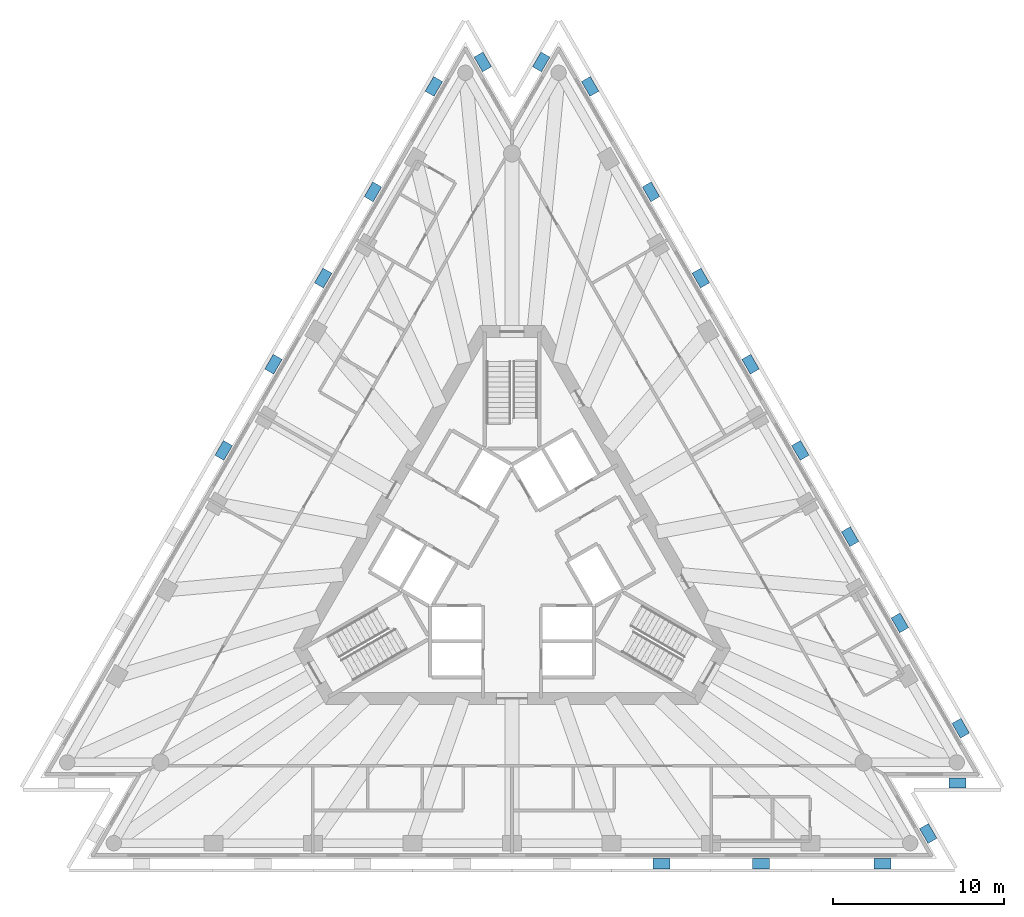
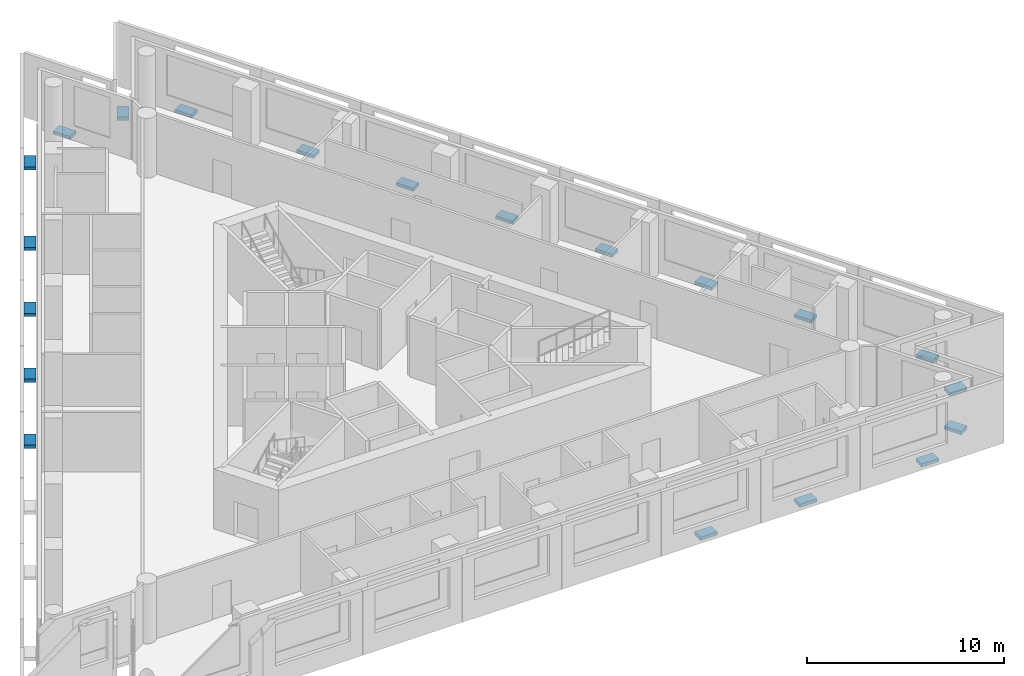
# One storey, part 8 of 10: 20 discrete accessories.
"""IFC4 building model written with IfcOpenShell, lengths in metres."""

from ifc_helpers import new_model, si_unit, direction, frame, origin, origin_2d, place, context, subcontext, project, spatial, rectangle, extrude, material, type_object, element, save


model = new_model("IFC4")

# Units and contexts
model_context = context("Model", 3, precision=1e-05, world=origin(), true_north=direction((0.0, 1.0)))
body_context = subcontext(model_context, "Body", "Model", "MODEL_VIEW")
ifc_project = project(units=[si_unit("LENGTHUNIT", "METRE"), si_unit("AREAUNIT", "SQUARE_METRE"), si_unit("VOLUMEUNIT", "CUBIC_METRE"), si_unit("PLANEANGLEUNIT", "RADIAN"), si_unit("MASSUNIT", "GRAM", prefix="KILO")], contexts=[model_context])

# Site, building, storey
site_placement = place(None, origin())
site = spatial("IfcSite", under=ifc_project, at=site_placement, CompositionType="ELEMENT")
building_placement = place(site_placement, origin())
building = spatial("IfcBuilding", under=site, at=building_placement, Name="Triada Interchange Tower", CompositionType="ELEMENT")
storey_placement = place(building_placement, frame((0.0, 0.0, 247.300048828125)))
storey = spatial("IfcBuildingStorey", under=building, at=storey_placement, Name="L58", CompositionType="ELEMENT", Elevation=247.300048828125)

# Discrete accessories
ifc_material = material(Name="Steel S355", Category="steel")
discrete_accessory_type = type_object("IfcDiscreteAccessoryType", Name="Steel bracket outer skin", PredefinedType="BRACKET", material=ifc_material)
for number, where, z_axis, x_axis, name in (
    (1, (-4.580078125, 27.716064453125, -0.27001953125), (0.0, 0.0, 1.0), (-0.866030360477, 0.499991414658, 0.0), "Bracket L58 01"),
    (2, (-8.14599609375, 21.5400390625, -0.27001953125), (0.0, 0.0, 1.0), (-0.866030360477, 0.499991414658, 0.0), "Bracket L58 02"),
    (3, (-11.06201171875, 16.489013671875, -0.27001953125), (0.0, 0.0, 1.0), (-0.866030360477, 0.499991414658, 0.0), "Bracket L58 03"),
    (4, (-13.97802734375, 11.43798828125, -0.27001953125), (0.0, 0.0, 1.0), (-0.866030360477, 0.499991414658, 0.0), "Bracket L58 04"),
    (5, (-16.89404296875, 6.385986328125, -0.27001953125), (0.0, 0.0, 1.0), (-0.866030360477, 0.499991414658, 0.0), "Bracket L58 05"),
    (6, (8.7490234375, -17.823974609375, -0.27001953125), (0.0, 0.0, 1.0), (0.0, -1.0, 0.0), "Bracket L58 16"),
    (7, (14.5810546875, -17.823974609375, -0.27001953125), (0.0, 0.0, 1.0), (0.0, -1.0, 0.0), "Bracket L58 17"),
    (8, (21.712890625, -17.823974609375, -0.27001953125), (0.0, 0.0, 1.0), (0.0, -1.0, 0.0), "Bracket L58 18"),
    (9, (24.388916015625, -16.05908203125, -0.27001953125), (0.0, 0.0, 1.0), (0.865981339585, 0.500076313667, 0.0), "Bracket L58 19"),
    (10, (26.10205078125, -13.093017578125, -0.27001953125), (0.0, 0.0, 1.0), (0.0, -1.0, 0.0), "Bracket L58 20"),
    (11, (26.29296875, -9.89208984375, -0.27001953125), (0.0, 0.0, 1.0), (0.866030360477, 0.499991414658, 0.0), "Bracket L58 21"),
    (12, (22.72705078125, -3.716064453125, -0.27001953125), (0.0, 0.0, 1.0), (0.866030360477, 0.499991414658, 0.0), "Bracket L58 22"),
    (13, (19.81103515625, 1.3349609375, -0.27001953125), (0.0, 0.0, 1.0), (0.866030360477, 0.499991414658, 0.0), "Bracket L58 23"),
    (14, (16.89404296875, 6.385986328125, -0.27001953125), (0.0, 0.0, 1.0), (0.866030360477, 0.499991414658, 0.0), "Bracket L58 24"),
    (15, (13.97802734375, 11.43798828125, -0.27001953125), (0.0, 0.0, 1.0), (0.866030360477, 0.499991414658, 0.0), "Bracket L58 25"),
    (16, (11.06201171875, 16.489013671875, -0.27001953125), (0.0, 0.0, 1.0), (0.866030360477, 0.499991414658, 0.0), "Bracket L58 26"),
    (17, (8.14599609375, 21.5400390625, -0.27001953125), (0.0, 0.0, 1.0), (0.866030360477, 0.499991414658, 0.0), "Bracket L58 27"),
    (18, (4.580078125, 27.716064453125, -0.27001953125), (0.0, 0.0, 1.0), (0.866030360477, 0.499991414658, 0.0), "Bracket L58 28"),
    (19, (1.7119140625, 29.15087890625, -0.27001953125), (0.0, 0.0, 1.0), (-0.866027105475, 0.499997052573, 0.0), "Bracket L58 29"),
    (20, (-1.7119140625, 29.15087890625, -0.27001953125), (0.0, 0.0, 1.0), (0.866027105475, 0.499997052573, 0.0), "Bracket L58 30"),
):
    element("IfcDiscreteAccessory", number, at=place(storey_placement, frame(where, z_axis=z_axis, x_axis=x_axis)), inside=storey, type_object=discrete_accessory_type, Name=name, PredefinedType="BRACKET", context=body_context, shape_type="SweptSolid", body=[
        extrude(rectangle(XDim=0.60009765625, YDim=1.0, at=origin_2d()), origin(), (0.0, 0.0, 1.0), 0.199951171875),
    ])

save(model, "model.ifc")
